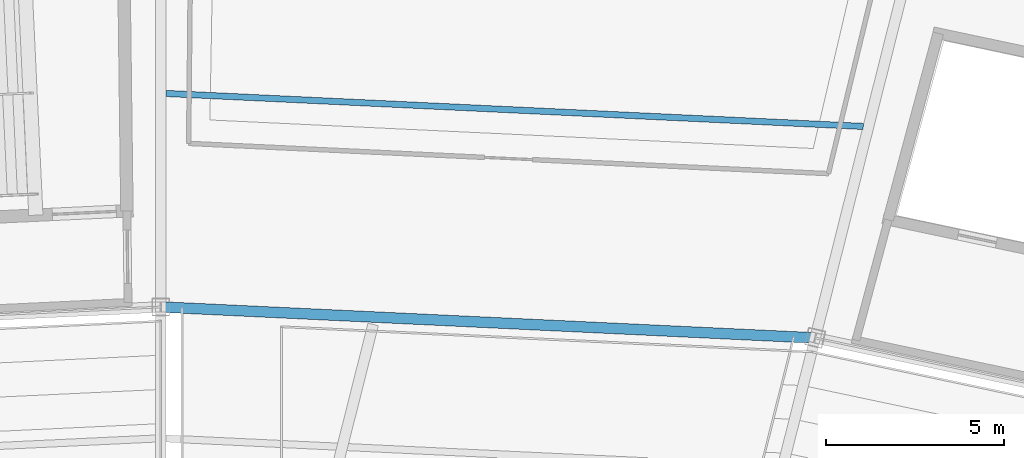
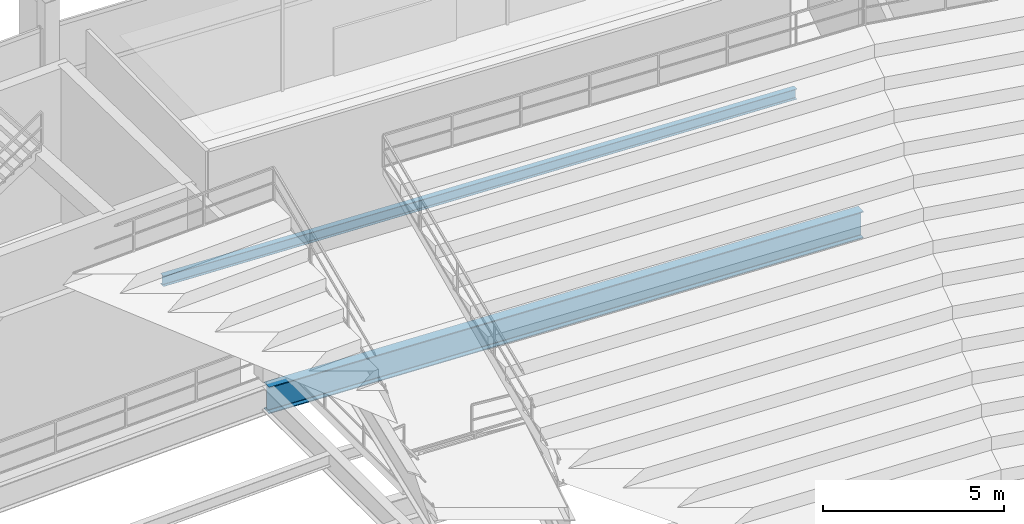
# One storey, part 101 of 186: 2 beams.
"""IFC4 building model written with IfcOpenShell, lengths in metres."""

from ifc_helpers import new_model, si_unit, direction, frame, origin, origin_2d, place, context, subcontext, project, spatial, i_section, extrude, material, material_profile, profile_set, type_object, element, save


model = new_model("IFC4")

# Units and contexts
model_context = context("Model", 3, precision=1e-05, world=origin(), true_north=direction((0.0, 1.0)))
body_context = subcontext(model_context, "Body", "Model", "MODEL_VIEW")
ifc_project = project(units=[si_unit("LENGTHUNIT", "METRE"), si_unit("AREAUNIT", "SQUARE_METRE"), si_unit("VOLUMEUNIT", "CUBIC_METRE"), si_unit("PLANEANGLEUNIT", "RADIAN"), si_unit("MASSUNIT", "GRAM", prefix="KILO")], contexts=[model_context])

# Site, building, storey
site_placement = place(None, origin())
site = spatial("IfcSite", under=ifc_project, at=site_placement, CompositionType="ELEMENT")
building_placement = place(site_placement, origin())
building = spatial("IfcBuilding", under=site, at=building_placement, Name="Kazemori Nagisa Stadium", CompositionType="ELEMENT")
storey_placement = place(building_placement, frame((0.0, 0.0, 20.39990234375)))
storey = spatial("IfcBuildingStorey", under=building, at=storey_placement, Name="L04", CompositionType="ELEMENT", Elevation=20.39990234375)

# Beams
ifc_material = material(Name="Steel SN490B", Category="steel")
ifc_material_profile_1 = material_profile(ifc_material, i_section(OverallWidth=0.300048828125, OverallDepth=0.89990234375, WebThickness=0.01611328125, FlangeThickness=0.028076171875, FilletRadius=0.01806640625, at=origin_2d()), Name="H-900x300x16x28")
ifc_profile_set_1 = profile_set([ifc_material_profile_1], Name="Steel SN490B")
beam_type_1 = type_object("IfcBeamType", Name="Beam_BG-H900", PredefinedType="BEAM", material=ifc_profile_set_1)
beam_1_placement = place(storey_placement, frame((141.427734375, 175.088623046875, -0.75), z_axis=(-0.9988839804, 0.047231278829, 0.0), x_axis=(-0.047231278829, -0.9988839804, 0.0)))
element("IfcBeam", 1, at=beam_1_placement, inside=storey, type_object=beam_type_1, Name="Ring girder BG-H900 L04 R2-07", PredefinedType="BEAM", context=body_context, shape_type="SweptSolid", body=[
    extrude(i_section(OverallWidth=0.300048828125, OverallDepth=0.89990234375, WebThickness=0.01611328125, FlangeThickness=0.028076171875, FilletRadius=0.01806640625, at=origin_2d()), origin(), (0.0, 0.0, 1.0), 18.4482421875),
])
ifc_material_profile_2 = material_profile(ifc_material, i_section(OverallWidth=0.175048828125, OverallDepth=0.35009765625, WebThickness=0.007080078125, FlangeThickness=0.010986328125, FilletRadius=0.012939453125, at=origin_2d()), Name="H-350x175x7x11")
ifc_profile_set_2 = profile_set([ifc_material_profile_2], Name="Steel SN490B")
beam_type_2 = type_object("IfcBeamType", Name="Beam_BJ-H350", PredefinedType="JOIST", material=ifc_profile_set_2)
beam_2_placement = place(storey_placement, frame((142.782958984375, 181.044677734375, -0.474853515625), z_axis=(-0.998884234836, 0.047225897525, 0.0), x_axis=(-0.047225897525, -0.998884234836, 0.0)))
element("IfcBeam", 2, at=beam_2_placement, inside=storey, type_object=beam_type_2, Name="Outer bay joist BJ-H350 L04 B07", PredefinedType="JOIST", context=body_context, shape_type="SweptSolid", body=[
    extrude(i_section(OverallWidth=0.175048828125, OverallDepth=0.35009765625, WebThickness=0.007080078125, FlangeThickness=0.010986328125, FilletRadius=0.012939453125, at=origin_2d()), origin(), (0.0, 0.0, 1.0), 19.66015625),
])

save(model, "model.ifc")
